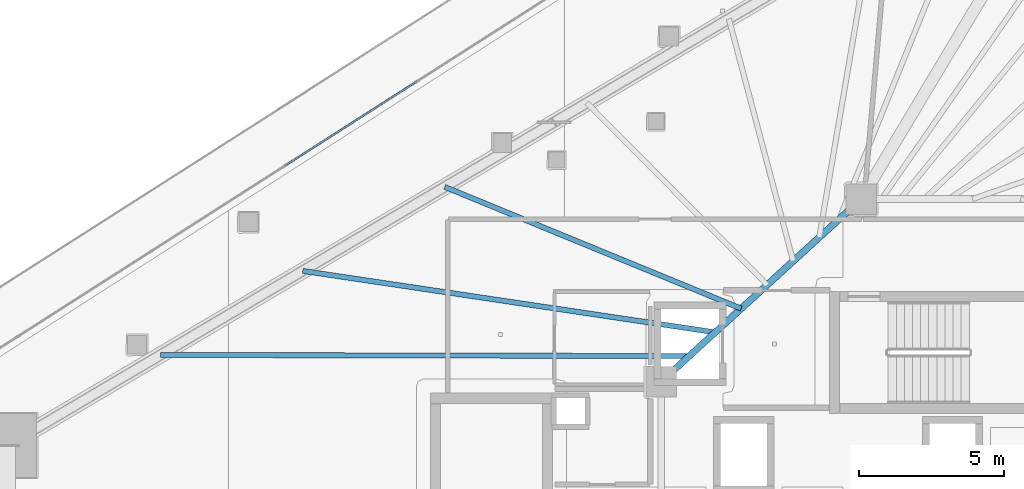
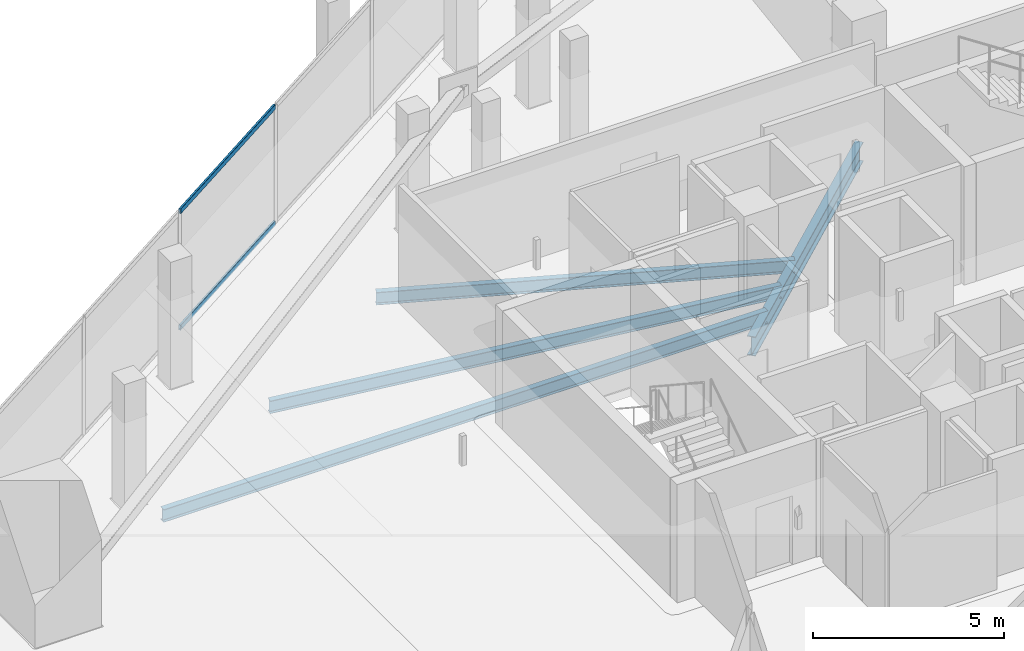
# One storey, part 15 of 40: 4 beams, 2 members, 1 element without a shape of its own.
"""IFC4 building model written with IfcOpenShell, lengths in metres."""

from ifc_helpers import new_model, si_unit, direction, frame, origin, origin_2d, place, context, subcontext, project, spatial, hollow_rectangle, i_section, extrude, material, layer, layer_set, material_profile, profile_set, type_object, element, aggregate, save


model = new_model("IFC4")

# Units and contexts
model_context = context("Model", 3, precision=1e-05, world=origin(), true_north=direction((0.0, 1.0)))
body_context = subcontext(model_context, "Body", "Model", "MODEL_VIEW")
ifc_project = project(units=[si_unit("LENGTHUNIT", "METRE"), si_unit("AREAUNIT", "SQUARE_METRE"), si_unit("VOLUMEUNIT", "CUBIC_METRE"), si_unit("PLANEANGLEUNIT", "RADIAN"), si_unit("MASSUNIT", "GRAM", prefix="KILO")], contexts=[model_context])

# Site, building, storey
site_placement = place(None, origin())
site = spatial("IfcSite", under=ifc_project, at=site_placement, CompositionType="ELEMENT")
building_placement = place(site_placement, origin())
building = spatial("IfcBuilding", under=site, at=building_placement, Name="Qorvath Tower", CompositionType="ELEMENT")
storey_placement = place(building_placement, frame((0.0, 0.0, 138.14990234375)))
storey = spatial("IfcBuildingStorey", under=building, at=storey_placement, Name="L31", CompositionType="ELEMENT", Elevation=138.14990234375)

# Beams
ifc_material_1 = material(Name="Steel ASTM A992 Grade 50", Category="steel")
ifc_material_profile_1 = material_profile(ifc_material_1, i_section(OverallWidth=0.22998046875, OverallDepth=0.616943359375, WebThickness=0.01318359375, FlangeThickness=0.022216796875, FilletRadius=0.014892578125, at=origin_2d()), Name="W24x94")
ifc_profile_set_1 = profile_set([ifc_material_profile_1], Name="Steel ASTM A992 Grade 50")
beam_type_1 = type_object("IfcBeamType", Name="BM-FG6", PredefinedType="BEAM", material=ifc_profile_set_1)
beam_1_placement = place(storey_placement, frame((-30.5, 5.14990234375, -0.57861328125), z_axis=(0.73847813985, 0.6742774184, 0.0), x_axis=(-0.6742774184, 0.73847813985, 0.0)))
element("IfcBeam", 1, at=beam_1_placement, inside=storey, type_object=beam_type_1, Name="Core Ring Girder CC5-CC1 L31", PredefinedType="BEAM", context=body_context, shape_type="SweptSolid", body=[
    extrude(i_section(OverallWidth=0.22998046875, OverallDepth=0.616943359375, WebThickness=0.01318359375, FlangeThickness=0.022216796875, FilletRadius=0.014892578125, at=origin_2d()), origin(), (0.0, 0.0, 1.0), 9.343505859375),
])
ifc_material_2 = material(Name="Steel ASTM A992 Grade 50", Category="steel")
ifc_material_profile_2 = material_profile(ifc_material_2, i_section(OverallWidth=0.177978515625, OverallDepth=0.406005859375, WebThickness=0.0078125, FlangeThickness=0.0126953125, FilletRadius=0.010986328125, at=origin_2d()), Name="W16x40")
ifc_profile_set_2 = profile_set([ifc_material_profile_2], Name="Steel ASTM A992 Grade 50")
beam_type_2 = type_object("IfcBeamType", Name="BM-FJ3", PredefinedType="JOIST", material=ifc_profile_set_2)
beam_2_placement = place(storey_placement, frame((-29.533935546875, 6.031982421875, -0.472900390625), z_axis=(-0.999997589883, 0.002195501951, 0.0), x_axis=(-0.002195501951, -0.999997589883, 0.0)))
element("IfcBeam", 2, at=beam_2_placement, inside=storey, type_object=beam_type_2, Name="Composite Floor Joist NW1 L31", PredefinedType="JOIST", context=body_context, shape_type="SweptSolid", body=[
    extrude(i_section(OverallWidth=0.177978515625, OverallDepth=0.406005859375, WebThickness=0.0078125, FlangeThickness=0.0126953125, FilletRadius=0.010986328125, at=origin_2d()), origin(), (0.0, 0.0, 1.0), 18.23681640625),
])
beam_3_placement = place(storey_placement, frame((-28.636962890625, 6.85107421875, -0.472900390625), z_axis=(-0.989092860328, 0.147293291256, 0.0), x_axis=(-0.147293291256, -0.989092860328, 0.0)))
element("IfcBeam", 3, at=beam_3_placement, inside=storey, type_object=beam_type_2, Name="Composite Floor Joist NW2 L31", PredefinedType="JOIST", context=body_context, shape_type="SweptSolid", body=[
    extrude(i_section(OverallWidth=0.177978515625, OverallDepth=0.406005859375, WebThickness=0.0078125, FlangeThickness=0.0126953125, FilletRadius=0.010986328125, at=origin_2d()), origin(), (0.0, 0.0, 1.0), 14.388916015625),
])
beam_4_placement = place(storey_placement, frame((-27.739990234375, 7.669921875, -0.472900390625), z_axis=(-0.925068176006, 0.379801092338, 0.0), x_axis=(-0.379801092338, -0.925068176006, 0.0)))
element("IfcBeam", 4, at=beam_4_placement, inside=storey, type_object=beam_type_2, Name="Composite Floor Joist NW3 L31", PredefinedType="JOIST", context=body_context, shape_type="SweptSolid", body=[
    extrude(i_section(OverallWidth=0.177978515625, OverallDepth=0.406005859375, WebThickness=0.0078125, FlangeThickness=0.0126953125, FilletRadius=0.010986328125, at=origin_2d()), origin(), (0.0, 0.0, 1.0), 11.0556640625),
])

# Curtain wall, members
ifc_material_3 = material(Name="Anodised aluminium and triple low-E glass", Category="aluminium")
ifc_layer = layer(ifc_material_3, 0.179931640625)
ifc_layer_set = layer_set([ifc_layer], Name="CW-SYS-3")
curtain_wall_type = type_object("IfcCurtainWallType", Name="CW-SYS-3", PredefinedType="NOTDEFINED", material=ifc_layer_set)
curtain_wall_placement = place(storey_placement, origin())
curtain_wall = element("IfcCurtainWall", 5, at=curtain_wall_placement, inside=storey, type_object=curtain_wall_type, Name="Curtain Wall CW-3 CW-T-L31-16.1", PredefinedType="NOTDEFINED")
ifc_material_4 = material(Name="Anodised aluminium 6063-T6", Category="aluminium")
ifc_material_profile_3 = material_profile(ifc_material_4, hollow_rectangle(XDim=0.06494140625, YDim=0.159912109375, WallThickness=0.00341796875, InnerFilletRadius=0.00341796875, OuterFilletRadius=0.007080078125, at=origin_2d()), Name="CWT 160x65")
ifc_profile_set_3 = profile_set([ifc_material_profile_3], Name="Anodised aluminium 6063-T6")
member_type = type_object("IfcMemberType", Name="CWT-160", PredefinedType="USERDEFINED", material=ifc_profile_set_3)
member_1_placement = place(storey_placement, frame((-38.93359375, 15.505859375, 0.032470703125), z_axis=(-0.842602030071, -0.538536738691, 0.0), x_axis=(0.538536738691, -0.842602030071, 0.0)))
member_1 = element("IfcMember", 6, at=member_1_placement, type_object=member_type, Name="CW-3 transom 6.1", ObjectType="TRANSOM", PredefinedType="USERDEFINED", context=body_context, shape_type="SweptSolid", body=[
    extrude(hollow_rectangle(XDim=0.06494140625, YDim=0.159912109375, WallThickness=0.00341796875, InnerFilletRadius=0.00341796875, OuterFilletRadius=0.007080078125, at=origin_2d()), origin(), (0.0, 0.0, 1.0), 5.388427734375),
])
member_2_placement = place(storey_placement, frame((-38.93359375, 15.505859375, 3.74755859375), z_axis=(-0.842602030071, -0.538536738691, 0.0), x_axis=(0.538536738691, -0.842602030071, 0.0)))
member_2 = element("IfcMember", 7, at=member_2_placement, type_object=member_type, Name="CW-3 transom 6.2", ObjectType="TRANSOM", PredefinedType="USERDEFINED", context=body_context, shape_type="SweptSolid", body=[
    extrude(hollow_rectangle(XDim=0.06494140625, YDim=0.159912109375, WallThickness=0.00341796875, InnerFilletRadius=0.00341796875, OuterFilletRadius=0.007080078125, at=origin_2d()), origin(), (0.0, 0.0, 1.0), 5.388427734375),
])
aggregate(curtain_wall, [member_1, member_2])

save(model, "model.ifc")
